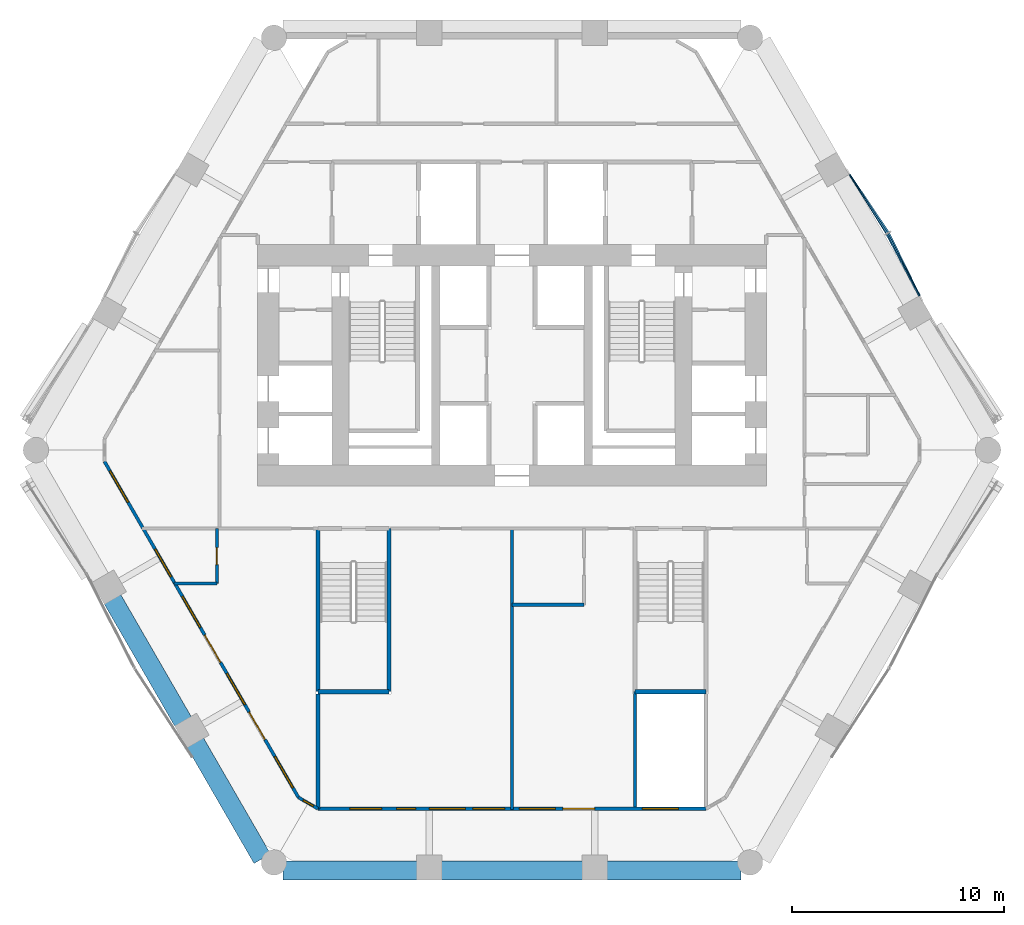
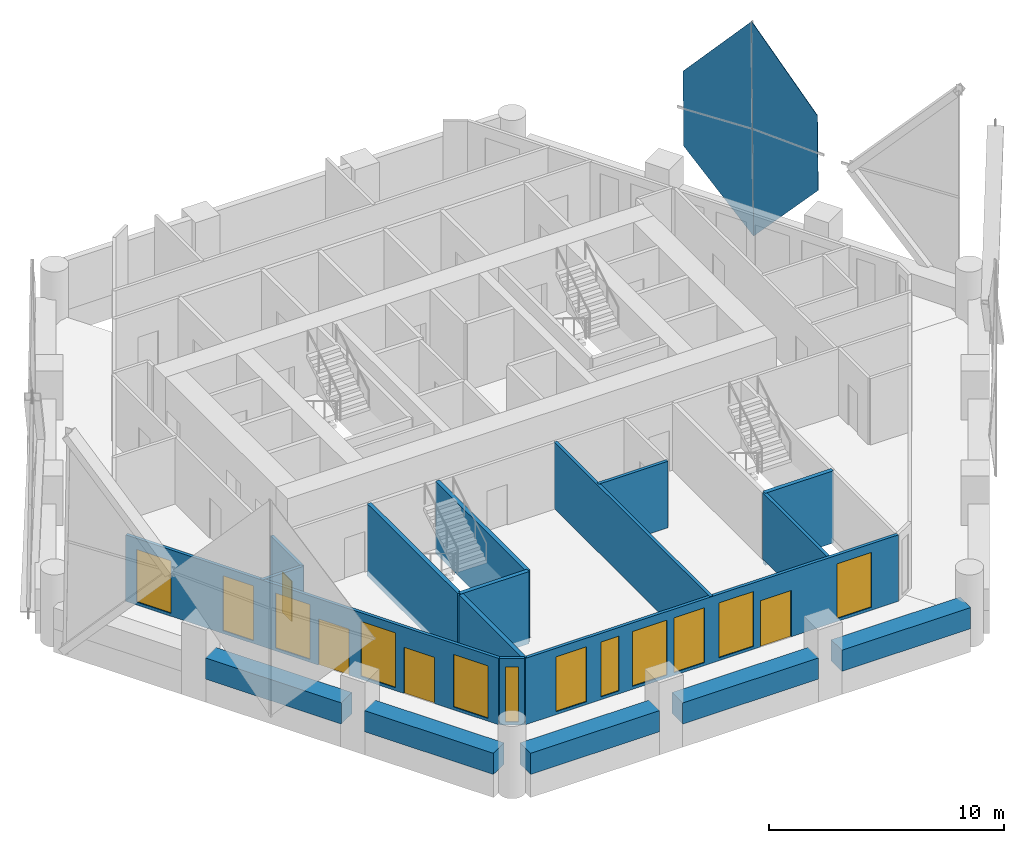
# One storey, part 9 of 16: 18 walls, 12 windows, 4 doors, 4 plates, 16 openings, 4 elements without a shape of their own.
"""IFC4 building model written with IfcOpenShell, lengths in metres."""

from ifc_helpers import new_model, si_unit, direction, frame, frame_2d, origin, place, context, subcontext, project, spatial, polyline, rectangle, outline, extrude, material, layer, layer_set, type_object, element, fill, aggregate, save


model = new_model("IFC4")

# Units and contexts
model_context = context("Model", 3, precision=1e-05, world=origin(), true_north=direction((0.0, 1.0)))
body_context = subcontext(model_context, "Body", "Model", "MODEL_VIEW")
ifc_project = project(units=[si_unit("LENGTHUNIT", "METRE"), si_unit("AREAUNIT", "SQUARE_METRE"), si_unit("VOLUMEUNIT", "CUBIC_METRE"), si_unit("PLANEANGLEUNIT", "RADIAN"), si_unit("MASSUNIT", "GRAM", prefix="KILO")], contexts=[model_context])

# Site, building, storey
site_placement = place(None, origin())
site = spatial("IfcSite", under=ifc_project, at=site_placement, CompositionType="ELEMENT")
building_placement = place(site_placement, origin())
building = spatial("IfcBuilding", under=site, at=building_placement, Name="Ostrander Bayou Hotel Tower", CompositionType="ELEMENT")
storey_placement = place(building_placement, frame((0.0, 0.0, 85.5)))
storey = spatial("IfcBuildingStorey", under=building, at=storey_placement, Name="L21", CompositionType="ELEMENT", Elevation=85.5)

# Curtain wall, plate
ifc_material_1 = material(Name="Aluminium and clear glass", Category="aluminium")
curtain_wall_type = type_object("IfcCurtainWallType", Name="CW-LAT lattice glazing", PredefinedType="NOTDEFINED", material=ifc_material_1)
curtain_wall_1_placement = place(storey_placement, origin())
curtain_wall_1 = element("IfcCurtainWall", 1, at=curtain_wall_1_placement, inside=storey, type_object=curtain_wall_type, Name="CW-LAT L21 NE 1", PredefinedType="NOTDEFINED")
ifc_material_2 = material(Name="Clear laminated glass", Category="glass")
ifc_layer_1 = layer(ifc_material_2, 0.028076171875)
ifc_layer_set_1 = layer_set([ifc_layer_1], Name="CW-LA glazing panel 28 mm")
plate_type = type_object("IfcPlateType", Name="CW-LA glazing panel 28 mm", PredefinedType="CURTAIN_PANEL", material=ifc_layer_set_1)
plate_1_placement = place(storey_placement, frame((19.270751953125, 7.310791015625, 3.068603515625), z_axis=(0.890812960957, 0.454137675882, 0.014534095598), x_axis=(-0.294679516501, 0.601784664266, -0.742306675445)))
plate_1 = element("IfcPlate", 2, at=plate_1_placement, type_object=plate_type, Name="CW-LAT panel 3", PredefinedType="CURTAIN_PANEL", context=body_context, shape_type="SweptSolid", body=[
    extrude(outline(polyline([(0.0, 0.0), (4.94229521177566, -4.440892098500626e-16), (0.763148048349241, 3.7659034802698432), (-1.4522594833125408, 1.3110552169683862), (0.0, 0.0)])), origin(), (0.0, 0.0, -1.0), 0.028076171875),
])
aggregate(curtain_wall_1, [plate_1])

curtain_wall_2_placement = place(storey_placement, origin())
curtain_wall_2 = element("IfcCurtainWall", 3, at=curtain_wall_2_placement, inside=storey, type_object=curtain_wall_type, Name="CW-LAT L21 NE 2", PredefinedType="NOTDEFINED")
plate_2_placement = place(storey_placement, frame((19.219482421875, 7.285888671875, 6.985595703125), z_axis=(0.890814053236, 0.454134866959, 0.01455490189), x_axis=(-0.313641194793, 0.591418153123, 0.742868608225)))
plate_2 = element("IfcPlate", 4, at=plate_2_placement, type_object=plate_type, Name="CW-LAT panel 4", PredefinedType="CURTAIN_PANEL", context=body_context, shape_type="SweptSolid", body=[
    extrude(outline(polyline([(0.0, 0.0), (4.9326451913846245, 0.0), (0.7559840411266834, -3.768667708419687), (-1.4568484655261933, -1.3125254700070321), (0.0, 0.0)])), origin(), (0.0, 0.0, -1.0), 0.028076171875),
])
aggregate(curtain_wall_2, [plate_2])

curtain_wall_3_placement = place(storey_placement, origin())
curtain_wall_3 = element("IfcCurtainWall", 5, at=curtain_wall_3_placement, inside=storey, type_object=curtain_wall_type, Name="CW-LAT L21 NE 3", PredefinedType="NOTDEFINED")
plate_3_placement = place(storey_placement, frame((15.966552734375, 13.03369140625, 3.068603515625), z_axis=(0.838699609362, 0.544400974467, 0.014510143183), x_axis=(0.373832355476, -0.556139096225, -0.742265906296)))
plate_3 = element("IfcPlate", 6, at=plate_3_placement, type_object=plate_type, Name="CW-LAT panel 5", PredefinedType="CURTAIN_PANEL", context=body_context, shape_type="SweptSolid", body=[
    extrude(outline(polyline([(0.0, 0.0), (4.942569122204214, 0.0), (0.7635303929348467, -3.766023813252816), (-1.4518943928046475, -1.3114559578809377), (0.0, 0.0)])), origin(), (0.0, 0.0, -1.0), 0.028076171875),
])
aggregate(curtain_wall_3, [plate_3])

curtain_wall_4_placement = place(storey_placement, origin())
curtain_wall_4 = element("IfcCurtainWall", 7, at=curtain_wall_4_placement, inside=storey, type_object=curtain_wall_type, Name="CW-LAT L21 NE 4", PredefinedType="NOTDEFINED")
plate_4_placement = place(storey_placement, frame((15.91943359375, 13.001708984375, 6.985595703125), z_axis=(0.838695797479, 0.544405845681, 0.014547662308), x_axis=(0.355380148706, -0.567338913331, 0.742853624428)))
plate_4 = element("IfcPlate", 8, at=plate_4_placement, type_object=plate_type, Name="CW-LAT panel 6", PredefinedType="CURTAIN_PANEL", context=body_context, shape_type="SweptSolid", body=[
    extrude(outline(polyline([(0.0, 0.0), (4.932745478580339, 0.0), (0.7561720359575757, 3.768764908269527), (-1.4567315807486296, 1.3126540130581108), (0.0, 0.0)])), origin(), (0.0, 0.0, -1.0), 0.028076171875),
])
aggregate(curtain_wall_4, [plate_4])

# Wall, openings, doors, windows
ifc_material_3 = material(Name="Aluminium framed insulated wall", Category="aluminium")
ifc_layer_2 = layer(ifc_material_3, 0.14990234375)
ifc_layer_set_2 = layer_set([ifc_layer_2], Name="GW1 glass-line wall 150 mm")
wall_type_1 = type_object("IfcWallType", Name="GW1 glass-line wall 150 mm", PredefinedType="SOLIDWALL", material=ifc_layer_set_2)
wall_1_placement = place(storey_placement, frame((-19.23583984375, -0.532470703125, 0.0), z_axis=(0.0, 0.0, 1.0), x_axis=(0.499995945303, -0.866027744752, 0.0)))
wall_1 = element("IfcWall", 9, at=wall_1_placement, inside=storey, type_object=wall_type_1, Name="GW1 L21 SW 1", PredefinedType="SOLIDWALL", context=body_context, shape_type="SweptSolid", body=[
    extrude(rectangle(XDim=18.313720703125, YDim=0.14990234375, at=frame_2d((9.15673828125, 0.0))), origin(), (0.0, 0.0, 1.0), 3.449951171875),
])
opening_1_placement = place(wall_1_placement, frame((4.78369140625, 0.0, 0.14990234375)))
opening_1 = element("IfcOpeningElement", 10, at=opening_1_placement, cuts=wall_1, Name="Opening W12", PredefinedType="OPENING", context=body_context, shape_type="SweptSolid", body=[
    extrude(rectangle(XDim=1.5, YDim=2.85009765625, at=frame_2d((0.75, 1.425048828125))), frame((0.0, 0.074951171875, 0.0), z_axis=(0.0, -1.0, 0.0), x_axis=(1.0, 0.0, 0.0)), (0.0, 0.0, 1.0), 0.14990234375),
])
opening_2_placement = place(wall_1_placement, frame((7.356689453125, 0.0, 0.14990234375)))
opening_2 = element("IfcOpeningElement", 11, at=opening_2_placement, cuts=wall_1, Name="Opening W2", PredefinedType="OPENING", context=body_context, shape_type="SweptSolid", body=[
    extrude(rectangle(XDim=1.699951171875, YDim=2.85009765625, at=frame_2d((0.85009765625, 1.425048828125))), frame((0.0, 0.074951171875, 0.0), z_axis=(0.0, -1.0, 0.0), x_axis=(1.0, 0.0, 0.0)), (0.0, 0.0, 1.0), 0.14990234375),
])
opening_3_placement = place(wall_1_placement, frame((9.456787109375, 0.0, 0.0)))
opening_3 = element("IfcOpeningElement", 12, at=opening_3_placement, cuts=wall_1, Name="Opening T21-801", PredefinedType="OPENING", context=body_context, shape_type="SweptSolid", body=[
    extrude(rectangle(XDim=1.5, YDim=2.39990234375, at=frame_2d((0.75, 1.199951171875))), frame((0.0, 0.074951171875, 0.0), z_axis=(0.0, -1.0, 0.0), x_axis=(1.0, 0.0, 0.0)), (0.0, 0.0, 1.0), 0.14990234375),
])
opening_4_placement = place(wall_1_placement, frame((11.556884765625, 0.0, 0.14990234375)))
opening_4 = element("IfcOpeningElement", 13, at=opening_4_placement, cuts=wall_1, Name="Opening W2", PredefinedType="OPENING", context=body_context, shape_type="SweptSolid", body=[
    extrude(rectangle(XDim=1.699951171875, YDim=2.85009765625, at=frame_2d((0.85009765625, 1.425048828125))), frame((0.0, 0.074951171875, 0.0), z_axis=(0.0, -1.0, 0.0), x_axis=(1.0, 0.0, 0.0)), (0.0, 0.0, 1.0), 0.14990234375),
])
opening_5_placement = place(wall_1_placement, frame((13.65673828125, 0.0, 0.0)))
opening_5 = element("IfcOpeningElement", 14, at=opening_5_placement, cuts=wall_1, Name="Opening T21-802", PredefinedType="OPENING", context=body_context, shape_type="SweptSolid", body=[
    extrude(rectangle(XDim=1.5, YDim=2.39990234375, at=frame_2d((0.75, 1.199951171875))), frame((0.0, 0.074951171875, 0.0), z_axis=(0.0, -1.0, 0.0), x_axis=(1.0, 0.0, 0.0)), (0.0, 0.0, 1.0), 0.14990234375),
])
opening_6_placement = place(wall_1_placement, frame((0.5283203125, 0.0, 0.14990234375)))
opening_6 = element("IfcOpeningElement", 15, at=opening_6_placement, cuts=wall_1, Name="Opening W2", PredefinedType="OPENING", context=body_context, shape_type="SweptSolid", body=[
    extrude(rectangle(XDim=1.699951171875, YDim=2.72998046875, at=frame_2d((0.85009765625, 1.364990234375))), frame((0.0, 0.074951171875, 0.0), z_axis=(0.0, -1.0, 0.0), x_axis=(1.0, 0.0, 0.0)), (0.0, 0.0, 1.0), 0.14990234375),
])
opening_7_placement = place(wall_1_placement, frame((16.085205078125, 0.0, 0.14990234375)))
opening_7 = element("IfcOpeningElement", 16, at=opening_7_placement, cuts=wall_1, Name="Opening W2", PredefinedType="OPENING", context=body_context, shape_type="SweptSolid", body=[
    extrude(rectangle(XDim=1.699951171875, YDim=2.72998046875, at=frame_2d((0.85009765625, 1.364990234375))), frame((0.0, 0.074951171875, 0.0), z_axis=(0.0, -1.0, 0.0), x_axis=(1.0, 0.0, 0.0)), (0.0, 0.0, 1.0), 0.14990234375),
])
ifc_material_4 = material(Name="Aluminium and clear glass", Category="aluminium")
door_type_1 = type_object("IfcDoorType", Name="SD2 sliding glass door 1500 mm, zone 2", OperationType="SLIDING_TO_LEFT", PredefinedType="DOOR", material=ifc_material_4)
door_1_placement = place(opening_3_placement, origin())
door_1 = element("IfcDoor", 17, at=door_1_placement, inside=storey, type_object=door_type_1, Name="SD2 L21 SW 2", OperationType="SLIDING_TO_RIGHT", OverallHeight=2.39990234375, OverallWidth=1.5, PredefinedType="DOOR", context=body_context, shape_type="SweptSolid", body=[
    extrude(rectangle(XDim=1.5, YDim=2.39990234375, at=frame_2d((0.75, 1.199951171875))), frame((0.0, 0.02490234375, 0.0), z_axis=(0.0, -1.0, 0.0), x_axis=(1.0, 0.0, 0.0)), (0.0, 0.0, 1.0), 0.050048828125),
])
fill(opening_3, door_1)
door_2_placement = place(opening_5_placement, origin())
door_2 = element("IfcDoor", 18, at=door_2_placement, inside=storey, type_object=door_type_1, Name="SD2 L21 SW 3", OperationType="SLIDING_TO_LEFT", OverallHeight=2.39990234375, OverallWidth=1.5, PredefinedType="DOOR", context=body_context, shape_type="SweptSolid", body=[
    extrude(rectangle(XDim=1.5, YDim=2.39990234375, at=frame_2d((0.75, 1.199951171875))), frame((0.0, 0.02490234375, 0.0), z_axis=(0.0, -1.0, 0.0), x_axis=(1.0, 0.0, 0.0)), (0.0, 0.0, 1.0), 0.050048828125),
])
fill(opening_5, door_2)
ifc_material_5 = material(Name="Aluminium and clear glass", Category="aluminium")
window_type_1 = type_object("IfcWindowType", Name="W12 fixed window 1500 mm, bath bay, zone 2", PartitioningType="SINGLE_PANEL", PredefinedType="WINDOW", material=ifc_material_5)
window_1_placement = place(opening_1_placement, origin())
window_1 = element("IfcWindow", 19, at=window_1_placement, inside=storey, type_object=window_type_1, Name="W12 L21 SW 1", OverallHeight=2.85009765625, OverallWidth=1.5, PartitioningType="SINGLE_PANEL", PredefinedType="WINDOW", context=body_context, shape_type="SweptSolid", body=[
    extrude(rectangle(XDim=1.5, YDim=2.85009765625, at=frame_2d((0.75, 1.425048828125))), frame((0.0, 0.030029296875, 0.0), z_axis=(0.0, -1.0, 0.0), x_axis=(1.0, 0.0, 0.0)), (0.0, 0.0, 1.0), 0.06005859375),
])
fill(opening_1, window_1)
ifc_material_6 = material(Name="Aluminium and clear glass", Category="aluminium")
window_type_2 = type_object("IfcWindowType", Name="W2 fixed window 1700 mm, zone 2", PartitioningType="SINGLE_PANEL", PredefinedType="WINDOW", material=ifc_material_6)
window_2_placement = place(opening_2_placement, origin())
window_2 = element("IfcWindow", 20, at=window_2_placement, inside=storey, type_object=window_type_2, Name="W2 L21 SW 2", OverallHeight=2.85009765625, OverallWidth=1.699951171875, PartitioningType="SINGLE_PANEL", PredefinedType="WINDOW", context=body_context, shape_type="SweptSolid", body=[
    extrude(rectangle(XDim=1.699951171875, YDim=2.85009765625, at=frame_2d((0.85009765625, 1.425048828125))), frame((0.0, 0.030029296875, 0.0), z_axis=(0.0, -1.0, 0.0), x_axis=(1.0, 0.0, 0.0)), (0.0, 0.0, 1.0), 0.06005859375),
])
fill(opening_2, window_2)
window_3_placement = place(opening_4_placement, origin())
window_3 = element("IfcWindow", 21, at=window_3_placement, inside=storey, type_object=window_type_2, Name="W2 L21 SW 3", OverallHeight=2.85009765625, OverallWidth=1.699951171875, PartitioningType="SINGLE_PANEL", PredefinedType="WINDOW", context=body_context, shape_type="SweptSolid", body=[
    extrude(rectangle(XDim=1.699951171875, YDim=2.85009765625, at=frame_2d((0.85009765625, 1.425048828125))), frame((0.0, 0.030029296875, 0.0), z_axis=(0.0, -1.0, 0.0), x_axis=(1.0, 0.0, 0.0)), (0.0, 0.0, 1.0), 0.06005859375),
])
fill(opening_4, window_3)
window_4_placement = place(opening_6_placement, origin())
window_4 = element("IfcWindow", 22, at=window_4_placement, inside=storey, type_object=window_type_2, Name="W2 L21 SW E11", OverallHeight=2.72998046875, OverallWidth=1.699951171875, PartitioningType="SINGLE_PANEL", PredefinedType="WINDOW", context=body_context, shape_type="SweptSolid", body=[
    extrude(rectangle(XDim=1.699951171875, YDim=2.72998046875, at=frame_2d((0.85009765625, 1.364990234375))), frame((0.0, 0.030029296875, 0.0), z_axis=(0.0, -1.0, 0.0), x_axis=(1.0, 0.0, 0.0)), (0.0, 0.0, 1.0), 0.06005859375),
])
fill(opening_6, window_4)
window_5_placement = place(opening_7_placement, origin())
window_5 = element("IfcWindow", 23, at=window_5_placement, inside=storey, type_object=window_type_2, Name="W2 L21 SW E21", OverallHeight=2.72998046875, OverallWidth=1.699951171875, PartitioningType="SINGLE_PANEL", PredefinedType="WINDOW", context=body_context, shape_type="SweptSolid", body=[
    extrude(rectangle(XDim=1.699951171875, YDim=2.72998046875, at=frame_2d((0.85009765625, 1.364990234375))), frame((0.0, 0.030029296875, 0.0), z_axis=(0.0, -1.0, 0.0), x_axis=(1.0, 0.0, 0.0)), (0.0, 0.0, 1.0), 0.06005859375),
])
fill(opening_7, window_5)

# Wall, openings, door, windows
wall_2_placement = place(storey_placement, frame((-9.15673828125, -16.925048828125, 0.0), z_axis=(0.0, 0.0, 1.0), x_axis=(1.0, 0.0, 0.0)))
wall_2 = element("IfcWall", 24, at=wall_2_placement, inside=storey, type_object=wall_type_1, Name="GW1 L21 S 1", PredefinedType="SOLIDWALL", context=body_context, shape_type="SweptSolid", body=[
    extrude(rectangle(XDim=18.3134765625, YDim=0.14990234375, at=frame_2d((9.15673828125, 0.0))), origin(), (0.0, 0.0, 1.0), 3.449951171875),
])
opening_8_placement = place(wall_2_placement, frame((3.706787109375, 0.0, 0.14990234375)))
opening_8 = element("IfcOpeningElement", 25, at=opening_8_placement, cuts=wall_2, Name="Opening W16", PredefinedType="OPENING", context=body_context, shape_type="SweptSolid", body=[
    extrude(rectangle(XDim=0.89990234375, YDim=2.85009765625, at=frame_2d((0.449951171875, 1.425048828125))), frame((0.0, 0.074951171875, 0.0), z_axis=(0.0, -1.0, 0.0), x_axis=(1.0, 0.0, 0.0)), (0.0, 0.0, 1.0), 0.14990234375),
])
opening_9_placement = place(wall_2_placement, frame((1.5068359375, 0.0, 0.14990234375)))
opening_9 = element("IfcOpeningElement", 26, at=opening_9_placement, cuts=wall_2, Name="Opening W12", PredefinedType="OPENING", context=body_context, shape_type="SweptSolid", body=[
    extrude(rectangle(XDim=1.5, YDim=2.85009765625, at=frame_2d((0.75, 1.425048828125))), frame((0.0, 0.074951171875, 0.0), z_axis=(0.0, -1.0, 0.0), x_axis=(1.0, 0.0, 0.0)), (0.0, 0.0, 1.0), 0.14990234375),
])
opening_10_placement = place(wall_2_placement, frame((5.2568359375, 0.0, 0.14990234375)))
opening_10 = element("IfcOpeningElement", 27, at=opening_10_placement, cuts=wall_2, Name="Opening W2", PredefinedType="OPENING", context=body_context, shape_type="SweptSolid", body=[
    extrude(rectangle(XDim=1.699951171875, YDim=2.85009765625, at=frame_2d((0.85009765625, 1.425048828125))), frame((0.0, 0.074951171875, 0.0), z_axis=(0.0, -1.0, 0.0), x_axis=(1.0, 0.0, 0.0)), (0.0, 0.0, 1.0), 0.14990234375),
])
opening_11_placement = place(wall_2_placement, frame((7.306884765625, 0.0, 0.14990234375)))
opening_11 = element("IfcOpeningElement", 28, at=opening_11_placement, cuts=wall_2, Name="Opening W12", PredefinedType="OPENING", context=body_context, shape_type="SweptSolid", body=[
    extrude(rectangle(XDim=1.5, YDim=2.85009765625, at=frame_2d((0.75, 1.425048828125))), frame((0.0, 0.074951171875, 0.0), z_axis=(0.0, -1.0, 0.0), x_axis=(1.0, 0.0, 0.0)), (0.0, 0.0, 1.0), 0.14990234375),
])
opening_12_placement = place(wall_2_placement, frame((9.5068359375, 0.0, 0.14990234375)))
opening_12 = element("IfcOpeningElement", 29, at=opening_12_placement, cuts=wall_2, Name="Opening W2", PredefinedType="OPENING", context=body_context, shape_type="SweptSolid", body=[
    extrude(rectangle(XDim=1.699951171875, YDim=2.85009765625, at=frame_2d((0.85009765625, 1.425048828125))), frame((0.0, 0.074951171875, 0.0), z_axis=(0.0, -1.0, 0.0), x_axis=(1.0, 0.0, 0.0)), (0.0, 0.0, 1.0), 0.14990234375),
])
opening_13_placement = place(wall_2_placement, frame((11.556884765625, 0.0, 0.0)))
opening_13 = element("IfcOpeningElement", 30, at=opening_13_placement, cuts=wall_2, Name="Opening T21-803", PredefinedType="OPENING", context=body_context, shape_type="SweptSolid", body=[
    extrude(rectangle(XDim=1.5, YDim=2.39990234375, at=frame_2d((0.75, 1.199951171875))), frame((0.0, 0.074951171875, 0.0), z_axis=(0.0, -1.0, 0.0), x_axis=(1.0, 0.0, 0.0)), (0.0, 0.0, 1.0), 0.14990234375),
])
opening_14_placement = place(wall_2_placement, frame((15.306884765625, 0.0, 0.14990234375)))
opening_14 = element("IfcOpeningElement", 31, at=opening_14_placement, cuts=wall_2, Name="Opening W2", PredefinedType="OPENING", context=body_context, shape_type="SweptSolid", body=[
    extrude(rectangle(XDim=1.699951171875, YDim=2.85009765625, at=frame_2d((0.85009765625, 1.425048828125))), frame((0.0, 0.074951171875, 0.0), z_axis=(0.0, -1.0, 0.0), x_axis=(1.0, 0.0, 0.0)), (0.0, 0.0, 1.0), 0.14990234375),
])
door_3_placement = place(opening_13_placement, origin())
door_3 = element("IfcDoor", 32, at=door_3_placement, inside=storey, type_object=door_type_1, Name="SD2 L21 S 3", OperationType="SLIDING_TO_LEFT", OverallHeight=2.39990234375, OverallWidth=1.5, PredefinedType="DOOR", context=body_context, shape_type="SweptSolid", body=[
    extrude(rectangle(XDim=1.5, YDim=2.39990234375, at=frame_2d((0.75, 1.199951171875))), frame((0.0, 0.02490234375, 0.0), z_axis=(0.0, -1.0, 0.0), x_axis=(1.0, 0.0, 0.0)), (0.0, 0.0, 1.0), 0.050048828125),
])
fill(opening_13, door_3)
window_6_placement = place(opening_9_placement, origin())
window_6 = element("IfcWindow", 33, at=window_6_placement, inside=storey, type_object=window_type_1, Name="W12 L21 S 1", OverallHeight=2.85009765625, OverallWidth=1.5, PartitioningType="SINGLE_PANEL", PredefinedType="WINDOW", context=body_context, shape_type="SweptSolid", body=[
    extrude(rectangle(XDim=1.5, YDim=2.85009765625, at=frame_2d((0.75, 1.425048828125))), frame((0.0, 0.030029296875, 0.0), z_axis=(0.0, -1.0, 0.0), x_axis=(1.0, 0.0, 0.0)), (0.0, 0.0, 1.0), 0.06005859375),
])
fill(opening_9, window_6)
window_7_placement = place(opening_11_placement, origin())
window_7 = element("IfcWindow", 34, at=window_7_placement, inside=storey, type_object=window_type_1, Name="W12 L21 S 2", OverallHeight=2.85009765625, OverallWidth=1.5, PartitioningType="SINGLE_PANEL", PredefinedType="WINDOW", context=body_context, shape_type="SweptSolid", body=[
    extrude(rectangle(XDim=1.5, YDim=2.85009765625, at=frame_2d((0.75, 1.425048828125))), frame((0.0, 0.030029296875, 0.0), z_axis=(0.0, -1.0, 0.0), x_axis=(1.0, 0.0, 0.0)), (0.0, 0.0, 1.0), 0.06005859375),
])
fill(opening_11, window_7)
ifc_material_7 = material(Name="Aluminium and clear glass", Category="aluminium")
window_type_3 = type_object("IfcWindowType", Name="W16 window 900 mm, zone 2", PartitioningType="SINGLE_PANEL", PredefinedType="WINDOW", material=ifc_material_7)
window_8_placement = place(opening_8_placement, origin())
window_8 = element("IfcWindow", 35, at=window_8_placement, inside=storey, type_object=window_type_3, Name="W16 L21 S 1", OverallHeight=2.85009765625, OverallWidth=0.89990234375, PartitioningType="SINGLE_PANEL", PredefinedType="WINDOW", context=body_context, shape_type="SweptSolid", body=[
    extrude(rectangle(XDim=0.89990234375, YDim=2.85009765625, at=frame_2d((0.449951171875, 1.425048828125))), frame((0.0, 0.030029296875, 0.0), z_axis=(0.0, -1.0, 0.0), x_axis=(1.0, 0.0, 0.0)), (0.0, 0.0, 1.0), 0.06005859375),
])
fill(opening_8, window_8)
window_9_placement = place(opening_10_placement, origin())
window_9 = element("IfcWindow", 36, at=window_9_placement, inside=storey, type_object=window_type_2, Name="W2 L21 S 2", OverallHeight=2.85009765625, OverallWidth=1.699951171875, PartitioningType="SINGLE_PANEL", PredefinedType="WINDOW", context=body_context, shape_type="SweptSolid", body=[
    extrude(rectangle(XDim=1.699951171875, YDim=2.85009765625, at=frame_2d((0.85009765625, 1.425048828125))), frame((0.0, 0.030029296875, 0.0), z_axis=(0.0, -1.0, 0.0), x_axis=(1.0, 0.0, 0.0)), (0.0, 0.0, 1.0), 0.06005859375),
])
fill(opening_10, window_9)
window_10_placement = place(opening_12_placement, origin())
window_10 = element("IfcWindow", 37, at=window_10_placement, inside=storey, type_object=window_type_2, Name="W2 L21 S 3", OverallHeight=2.85009765625, OverallWidth=1.699951171875, PartitioningType="SINGLE_PANEL", PredefinedType="WINDOW", context=body_context, shape_type="SweptSolid", body=[
    extrude(rectangle(XDim=1.699951171875, YDim=2.85009765625, at=frame_2d((0.85009765625, 1.425048828125))), frame((0.0, 0.030029296875, 0.0), z_axis=(0.0, -1.0, 0.0), x_axis=(1.0, 0.0, 0.0)), (0.0, 0.0, 1.0), 0.06005859375),
])
fill(opening_12, window_10)
window_11_placement = place(opening_14_placement, origin())
window_11 = element("IfcWindow", 38, at=window_11_placement, inside=storey, type_object=window_type_2, Name="W2 L21 S 4", OverallHeight=2.85009765625, OverallWidth=1.699951171875, PartitioningType="SINGLE_PANEL", PredefinedType="WINDOW", context=body_context, shape_type="SweptSolid", body=[
    extrude(rectangle(XDim=1.699951171875, YDim=2.85009765625, at=frame_2d((0.85009765625, 1.425048828125))), frame((0.0, 0.030029296875, 0.0), z_axis=(0.0, -1.0, 0.0), x_axis=(1.0, 0.0, 0.0)), (0.0, 0.0, 1.0), 0.06005859375),
])
fill(opening_14, window_11)

# Wall, opening, window
wall_3_placement = place(storey_placement, frame((-10.0791015625, -16.392578125, 0.0), z_axis=(0.0, 0.0, 1.0), x_axis=(0.866048165231, -0.499960573946, 0.0)))
wall_3 = element("IfcWall", 39, at=wall_3_placement, inside=storey, type_object=wall_type_1, Name="GW1 L21 corner 3", PredefinedType="SOLIDWALL", context=body_context, shape_type="SweptSolid", body=[
    extrude(rectangle(XDim=1.06494140625, YDim=0.14990234375, at=frame_2d((0.532470703125, 0.0))), origin(), (0.0, 0.0, 1.0), 3.449951171875),
])
opening_15_placement = place(wall_3_placement, frame((0.257568359375, 0.0, 0.14990234375)))
opening_15 = element("IfcOpeningElement", 40, at=opening_15_placement, cuts=wall_3, Name="Opening W19", PredefinedType="OPENING", context=body_context, shape_type="SweptSolid", body=[
    extrude(rectangle(XDim=0.550048828125, YDim=2.85009765625, at=frame_2d((0.27490234375, 1.425048828125))), frame((0.0, 0.074951171875, 0.0), z_axis=(0.0, -1.0, 0.0), x_axis=(1.0, 0.0, 0.0)), (0.0, 0.0, 1.0), 0.14990234375),
])
ifc_material_8 = material(Name="Aluminium and clear glass", Category="aluminium")
window_type_4 = type_object("IfcWindowType", Name="W19 corner window 550 mm", PartitioningType="SINGLE_PANEL", PredefinedType="WINDOW", material=ifc_material_8)
window_12_placement = place(opening_15_placement, origin())
window_12 = element("IfcWindow", 41, at=window_12_placement, inside=storey, type_object=window_type_4, Name="W19 L21 corner 3", OverallHeight=2.85009765625, OverallWidth=0.550048828125, PartitioningType="SINGLE_PANEL", PredefinedType="WINDOW", context=body_context, shape_type="SweptSolid", body=[
    extrude(rectangle(XDim=0.550048828125, YDim=2.85009765625, at=frame_2d((0.27490234375, 1.425048828125))), frame((0.0, 0.030029296875, 0.0), z_axis=(0.0, -1.0, 0.0), x_axis=(1.0, 0.0, 0.0)), (0.0, 0.0, 1.0), 0.06005859375),
])
fill(opening_15, window_12)

# Walls
ifc_material_9 = material(Name="Concrete f'c 40 MPa", Category="concrete")
ifc_layer_3 = layer(ifc_material_9, 0.89990234375)
ifc_layer_set_3 = layer_set([ifc_layer_3], Name="PA1 stone-faced parapet 900 mm")
wall_type_2 = type_object("IfcWallType", Name="PA1 stone-faced parapet 900 mm", PredefinedType="PARAPET", material=ifc_layer_set_3)
wall_4_placement = place(storey_placement, frame((-10.8095703125, -19.85009765625, 0.0), z_axis=(0.0, 0.0, 1.0), x_axis=(1.0, 0.0, 0.0)))
element("IfcWall", 42, at=wall_4_placement, inside=storey, type_object=wall_type_2, Name="PA1 L21 S-1", PredefinedType="PARAPET", context=body_context, shape_type="SweptSolid", body=[
    extrude(rectangle(XDim=6.332763671875, YDim=0.89990234375, at=frame_2d((3.16650390625, 0.0))), origin(), (0.0, 0.0, 1.0), 1.10009765625),
])
wall_5_placement = place(storey_placement, frame((-3.336669921875, -19.85009765625, 0.0), z_axis=(0.0, 0.0, 1.0), x_axis=(1.0, 0.0, 0.0)))
element("IfcWall", 43, at=wall_5_placement, inside=storey, type_object=wall_type_2, Name="PA1 L21 S-2", PredefinedType="PARAPET", context=body_context, shape_type="SweptSolid", body=[
    extrude(rectangle(XDim=6.67333984375, YDim=0.89990234375, at=frame_2d((3.336669921875, 0.0))), origin(), (0.0, 0.0, 1.0), 1.10009765625),
])
wall_6_placement = place(storey_placement, frame((4.476806640625, -19.85009765625, 0.0), z_axis=(0.0, 0.0, 1.0), x_axis=(1.0, 0.0, 0.0)))
element("IfcWall", 44, at=wall_6_placement, inside=storey, type_object=wall_type_2, Name="PA1 L21 S-3", PredefinedType="PARAPET", context=body_context, shape_type="SweptSolid", body=[
    extrude(rectangle(XDim=6.332763671875, YDim=0.89990234375, at=frame_2d((3.16650390625, 0.0))), origin(), (0.0, 0.0, 1.0), 1.10009765625),
])
ifc_material_10 = material(Name="Limestone masonry", Category="masonry")
ifc_layer_4 = layer(ifc_material_10, 0.89990234375)
ifc_layer_set_4 = layer_set([ifc_layer_4], Name="PA2 limestone parapet 900 mm")
wall_type_3 = type_object("IfcWallType", Name="PA2 limestone parapet 900 mm", PredefinedType="PARAPET", material=ifc_layer_set_4)
wall_7_placement = place(storey_placement, frame((-18.85888671875, -7.035400390625, 0.0), z_axis=(0.0, 0.0, 1.0), x_axis=(0.499999023957, -0.866025967302, 0.0)))
element("IfcWall", 45, at=wall_7_placement, inside=storey, type_object=wall_type_3, Name="PA2 L21 SW-2", PredefinedType="PARAPET", context=body_context, shape_type="SweptSolid", body=[
    extrude(rectangle(XDim=6.67333984375, YDim=0.89990234375, at=frame_2d((3.336669921875, 0.0))), origin(), (0.0, 0.0, 1.0), 1.10009765625),
])
wall_8_placement = place(storey_placement, frame((-14.9521484375, -13.802001953125, 0.0), z_axis=(0.0, 0.0, 1.0), x_axis=(0.499982754166, -0.866035360443, 0.0)))
element("IfcWall", 46, at=wall_8_placement, inside=storey, type_object=wall_type_3, Name="PA2 L21 SW-3", PredefinedType="PARAPET", context=body_context, shape_type="SweptSolid", body=[
    extrude(rectangle(XDim=6.332763671875, YDim=0.89990234375, at=frame_2d((3.16650390625, 0.0))), origin(), (0.0, 0.0, 1.0), 1.10009765625),
])
ifc_material_11 = material(Name="Gypsum board partition", Category="finish")
ifc_layer_5 = layer(ifc_material_11, 0.199951171875)
ifc_layer_set_5 = layer_set([ifc_layer_5], Name="PT3 demising wall 200 mm acoustic double stud, 1 hour")
wall_type_4 = type_object("IfcWallType", Name="PT3 demising wall 200 mm acoustic double stud, 1 hour", PredefinedType="PARTITIONING", material=ifc_layer_set_5)
wall_9_placement = place(storey_placement, frame((-9.14990234375, -16.948974609375, 0.0), z_axis=(0.0, 0.0, 1.0), x_axis=(0.0, 1.0, 0.0)))
element("IfcWall", 47, at=wall_9_placement, inside=storey, type_object=wall_type_4, Name="gw:L21:026", PredefinedType="PARTITIONING", context=body_context, shape_type="SweptSolid", body=[
    extrude(rectangle(XDim=5.43896484375, YDim=0.199951171875, at=frame_2d((2.719482421875, 0.0))), origin(), (0.0, 0.0, 1.0), 3.449951171875),
])
ifc_material_12 = material(Name="Gypsum board partition", Category="finish")
ifc_layer_6 = layer(ifc_material_12, 0.14990234375)
ifc_layer_set_6 = layer_set([ifc_layer_6], Name="PT7 riser wall 150 mm, 2 hour")
wall_type_5 = type_object("IfcWallType", Name="PT7 riser wall 150 mm, 2 hour", PredefinedType="PARTITIONING", material=ifc_layer_set_6)
wall_10_placement = place(storey_placement, frame((5.800048828125, -11.39990234375, 0.0), z_axis=(0.0, 0.0, 1.0), x_axis=(0.0, -1.0, 0.0)))
element("IfcWall", 48, at=wall_10_placement, inside=storey, type_object=wall_type_5, Name="cs:L21:019", PredefinedType="PARTITIONING", context=body_context, shape_type="SweptSolid", body=[
    extrude(rectangle(XDim=5.4501953125, YDim=0.14990234375, at=frame_2d((2.72509765625, 0.0))), origin(), (0.0, 0.0, 1.0), 3.449951171875),
])
ifc_material_13 = material(Name="Gypsum board partition", Category="finish")
ifc_layer_7 = layer(ifc_material_13, 0.14990234375)
ifc_layer_set_7 = layer_set([ifc_layer_7], Name="PT8 service band wall 150 mm, 1 hour")
wall_type_6 = type_object("IfcWallType", Name="PT8 service band wall 150 mm, 1 hour", PredefinedType="PARTITIONING", material=ifc_layer_set_7)
wall_11_placement = place(storey_placement, frame((0.0, -7.300048828125, 0.0), z_axis=(0.0, 0.0, 1.0), x_axis=(1.0, 0.0, 0.0)))
element("IfcWall", 49, at=wall_11_placement, inside=storey, type_object=wall_type_6, Name="gw:L21:001", PredefinedType="PARTITIONING", context=body_context, shape_type="SweptSolid", body=[
    extrude(rectangle(XDim=3.39990234375, YDim=0.14990234375, at=frame_2d((1.699951171875, 0.0))), origin(), (0.0, 0.0, 1.0), 3.449951171875),
])
wall_12_placement = place(storey_placement, frame((-15.9580078125, -6.300048828125, 0.0), z_axis=(0.0, 0.0, 1.0), x_axis=(1.0, 0.0, 0.0)))
element("IfcWall", 50, at=wall_12_placement, inside=storey, type_object=wall_type_6, Name="gw:L21:002", PredefinedType="PARTITIONING", context=body_context, shape_type="SweptSolid", body=[
    extrude(rectangle(XDim=2.028076171875, YDim=0.14990234375, at=frame_2d((1.01416015625, 0.0))), origin(), (0.0, 0.0, 1.0), 3.449951171875),
])
wall_13_placement = place(storey_placement, frame((0.0, -16.969970703125, 0.0), z_axis=(0.0, 0.0, 1.0), x_axis=(0.0, 1.0, 0.0)))
element("IfcWall", 51, at=wall_13_placement, inside=storey, type_object=wall_type_6, Name="gw:L21:024", PredefinedType="PARTITIONING", context=body_context, shape_type="SweptSolid", body=[
    extrude(rectangle(XDim=13.27001953125, YDim=0.14990234375, at=frame_2d((6.635009765625, 0.0))), origin(), (0.0, 0.0, 1.0), 3.449951171875),
])

# Wall, opening, door
wall_14_placement = place(storey_placement, frame((-13.929931640625, -6.300048828125, 0.0), z_axis=(0.0, 0.0, 1.0), x_axis=(0.0, 1.0, 0.0)))
wall_14 = element("IfcWall", 52, at=wall_14_placement, inside=storey, type_object=wall_type_6, Name="gw:L21:029", PredefinedType="PARTITIONING", context=body_context, shape_type="SweptSolid", body=[
    extrude(rectangle(XDim=2.60009765625, YDim=0.14990234375, at=frame_2d((1.300048828125, 0.0))), origin(), (0.0, 0.0, 1.0), 3.449951171875),
])
opening_16_placement = place(wall_14_placement, frame((0.89990234375, 0.0, 0.0)))
opening_16 = element("IfcOpeningElement", 53, at=opening_16_placement, cuts=wall_14, Name="Opening T21-402", PredefinedType="OPENING", context=body_context, shape_type="SweptSolid", body=[
    extrude(rectangle(XDim=0.800048828125, YDim=2.10009765625, at=frame_2d((0.39990234375, 1.050048828125))), frame((0.0, 0.074951171875, 0.0), z_axis=(0.0, -1.0, 0.0), x_axis=(1.0, 0.0, 0.0)), (0.0, 0.0, 1.0), 0.14990234375),
])
ifc_material_14 = material(Name="Timber door leaf", Category="wood")
door_type_2 = type_object("IfcDoorType", Name="D2 bathroom door 800 x 2100 mm", OperationType="SINGLE_SWING_LEFT", PredefinedType="DOOR", material=ifc_material_14)
door_4_placement = place(opening_16_placement, origin())
door_4 = element("IfcDoor", 54, at=door_4_placement, inside=storey, type_object=door_type_2, Name="dr:L21:402", OperationType="SINGLE_SWING_RIGHT", OverallHeight=2.10009765625, OverallWidth=0.800048828125, PredefinedType="DOOR", context=body_context, shape_type="SweptSolid", body=[
    extrude(rectangle(XDim=0.800048828125, YDim=2.10009765625, at=frame_2d((0.39990234375, 1.050048828125))), frame((0.0, 0.02490234375, 0.0), z_axis=(0.0, -1.0, 0.0), x_axis=(1.0, 0.0, 0.0)), (0.0, 0.0, 1.0), 0.050048828125),
])
fill(opening_16, door_4)

# Walls
ifc_material_15 = material(Name="Concrete f'c 45 MPa", Category="concrete")
ifc_layer_8 = layer(ifc_material_15, 0.199951171875)
ifc_layer_set_8 = layer_set([ifc_layer_8], Name="SW5 stair enclosure wall 200 mm f'c 45 MPa")
wall_type_7 = type_object("IfcWallType", Name="SW5 stair enclosure wall 200 mm f'c 45 MPa", PredefinedType="SOLIDWALL", material=ifc_layer_set_8)
wall_15_placement = place(storey_placement, frame((5.800048828125, -11.39990234375, -0.300048828125), z_axis=(0.0, 0.0, 1.0), x_axis=(1.0, 0.0, 0.0)))
element("IfcWall", 55, at=wall_15_placement, inside=storey, type_object=wall_type_7, Name="cs:L21:018", PredefinedType="SOLIDWALL", context=body_context, shape_type="SweptSolid", body=[
    extrude(rectangle(XDim=3.349853515625, YDim=0.199951171875, at=frame_2d((1.6748046875, 0.0))), origin(), (0.0, 0.0, 1.0), 3.75),
])
for number, where, z_axis, x_axis, name in (
    (56, (-9.14990234375, -3.699951171875, -0.300048828125), (0.0, 0.0, 1.0), (0.0, -1.0, 0.0), "cs:L21:022"),
    (57, (-5.800048828125, -3.699951171875, -0.300048828125), (0.0, 0.0, 1.0), (0.0, -1.0, 0.0), "cs:L21:023"),
):
    element("IfcWall", number, at=place(storey_placement, frame(where, z_axis=z_axis, x_axis=x_axis)), inside=storey, type_object=wall_type_7, Name=name, PredefinedType="SOLIDWALL", context=body_context, shape_type="SweptSolid", body=[
        extrude(rectangle(XDim=7.699951171875, YDim=0.199951171875, at=frame_2d((3.85009765625, 0.0))), origin(), (0.0, 0.0, 1.0), 3.75),
    ])
wall_16_placement = place(storey_placement, frame((-9.14990234375, -11.39990234375, -0.300048828125), z_axis=(0.0, 0.0, 1.0), x_axis=(1.0, 0.0, 0.0)))
element("IfcWall", 58, at=wall_16_placement, inside=storey, type_object=wall_type_7, Name="cs:L21:024", PredefinedType="SOLIDWALL", context=body_context, shape_type="SweptSolid", body=[
    extrude(rectangle(XDim=3.349853515625, YDim=0.199951171875, at=frame_2d((1.6748046875, 0.0))), origin(), (0.0, 0.0, 1.0), 3.75),
])

save(model, "model.ifc")
